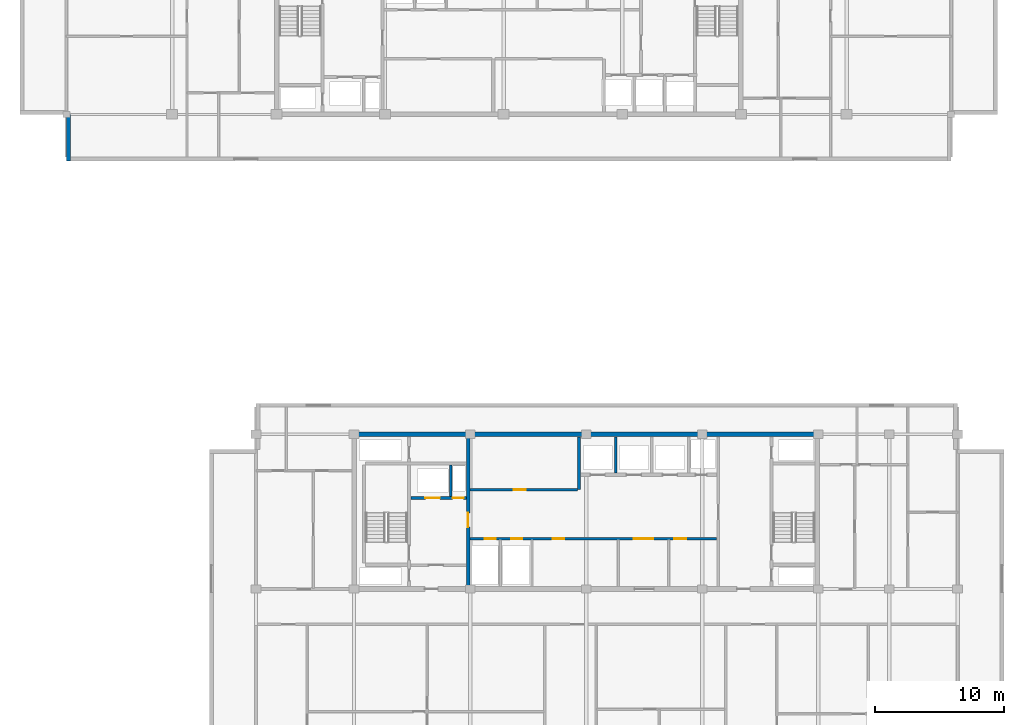
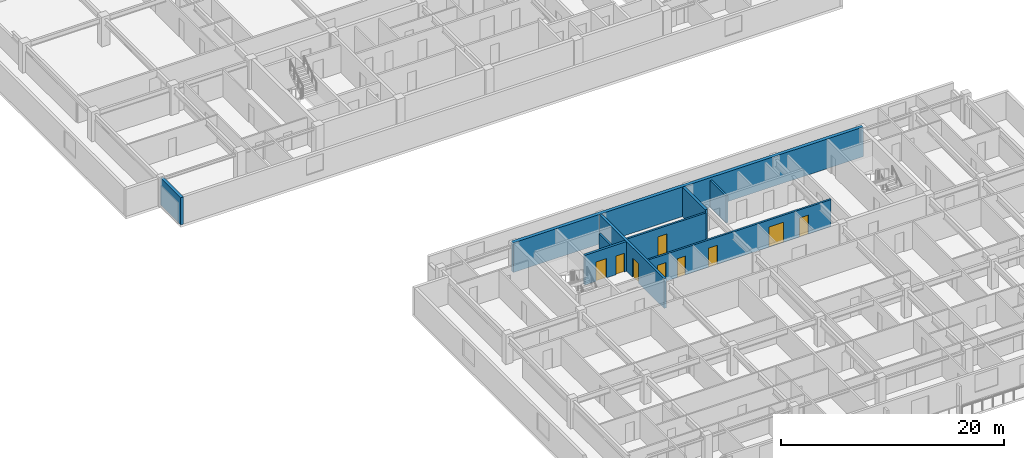
# One storey, part 7 of 22: 9 doors, 9 walls, 9 openings.
"""IFC4 building model written with IfcOpenShell, lengths in metres."""

from ifc_helpers import new_model, si_unit, direction, frame, frame_2d, origin, place, context, subcontext, project, spatial, rectangle, extrude, material, layer, layer_set, type_object, element, fill, save


model = new_model("IFC4")

# Units and contexts
model_context = context("Model", 3, precision=1e-05, world=origin(), true_north=direction((0.0, 1.0)))
body_context = subcontext(model_context, "Body", "Model", "MODEL_VIEW")
ifc_project = project(units=[si_unit("LENGTHUNIT", "METRE"), si_unit("AREAUNIT", "SQUARE_METRE"), si_unit("VOLUMEUNIT", "CUBIC_METRE"), si_unit("PLANEANGLEUNIT", "RADIAN"), si_unit("MASSUNIT", "GRAM", prefix="KILO")], contexts=[model_context])

# Site, building, storey
site_placement = place(None, origin())
site = spatial("IfcSite", under=ifc_project, at=site_placement, CompositionType="ELEMENT")
building_placement = place(site_placement, origin())
building = spatial("IfcBuilding", under=site, at=building_placement, Name="Korimba Cascade Residences", CompositionType="ELEMENT")
storey_placement = place(building_placement, frame((0.0, 0.0, 194.60009765625)))
storey = spatial("IfcBuildingStorey", under=building, at=storey_placement, Name="L56", CompositionType="ELEMENT", Elevation=194.60009765625)

# Walls
ifc_material_1 = material(Name="Precast concrete C40/50", Category="concrete")
ifc_layer_1 = layer(ifc_material_1, 0.300048828125)
ifc_layer_set_1 = layer_set([ifc_layer_1], Name="Precast concrete C40/50")
wall_type_1 = type_object("IfcWallType", Name="EW-STONE-300", PredefinedType="STANDARD", material=ifc_layer_set_1)
wall_1_placement = place(storey_placement, frame((59.949951171875, 55.199951171875, 0.0), z_axis=(0.0, 0.0, 1.0), x_axis=(0.0, -1.0, 0.0)))
element("IfcWall", 1, at=wall_1_placement, inside=storey, type_object=wall_type_1, Name="L56 T1 Perimeter Stone Wall E11", PredefinedType="STANDARD", context=body_context, shape_type="SweptSolid", body=[
    extrude(rectangle(XDim=3.599853515625, YDim=0.300048828125, at=frame_2d((1.7998046875, 0.0))), origin(), (0.0, 0.0, 1.0), 2.969970703125),
])
ifc_material_2 = material(Name="Concrete C65/80", Category="concrete")
ifc_layer_2 = layer(ifc_material_2, 0.35009765625)
ifc_layer_set_2 = layer_set([ifc_layer_2], Name="Concrete C65/80")
wall_type_2 = type_object("IfcWallType", Name="WAL-CORE-350", PredefinedType="SHEAR", material=ifc_layer_set_2)
wall_2_placement = place(storey_placement, frame((81.925048828125, 30.39990234375, 0.0), z_axis=(0.0, 0.0, 1.0), x_axis=(1.0, 0.0, 0.0)))
element("IfcWall", 2, at=wall_2_placement, inside=storey, type_object=wall_type_2, Name="L56 Core Shear Wall CW-L56-T2-N", PredefinedType="SHEAR", context=body_context, shape_type="SweptSolid", body=[
    extrude(rectangle(XDim=36.264892578125, YDim=0.35009765625, at=frame_2d((18.13232421875, 0.0))), origin(), (0.0, 0.0, 1.0), 3.25),
])
ifc_material_3 = material(Name="Concrete C40/50", Category="concrete")
ifc_layer_3 = layer(ifc_material_3, 0.199951171875)
ifc_layer_set_3 = layer_set([ifc_layer_3], Name="Concrete C40/50")
wall_type_3 = type_object("IfcWallType", Name="WAL-PART-200", PredefinedType="PARTITIONING", material=ifc_layer_set_3)
wall_3_placement = place(storey_placement, frame((89.60009765625, 25.580078125, 0.0), z_axis=(0.0, 0.0, 1.0), x_axis=(0.0, 1.0, 0.0)))
element("IfcWall", 3, at=wall_3_placement, inside=storey, type_object=wall_type_3, Name="L56 Partition Wall CW-L56-T2-FFLDIV", PredefinedType="PARTITIONING", context=body_context, shape_type="SweptSolid", body=[
    extrude(rectangle(XDim=2.419921875, YDim=0.199951171875, at=frame_2d((1.2099609375, 0.0))), origin(), (0.0, 0.0, 1.0), 2.969970703125),
])

# Wall, opening, door
wall_4_placement = place(storey_placement, frame((91.080078125, 26.10009765625, 0.0), z_axis=(0.0, 0.0, 1.0), x_axis=(1.0, 0.0, 0.0)))
wall_4 = element("IfcWall", 4, at=wall_4_placement, inside=storey, type_object=wall_type_3, Name="L56 Partition Wall CW-L56-T2-B1RS", PredefinedType="PARTITIONING", context=body_context, shape_type="SweptSolid", body=[
    extrude(rectangle(XDim=8.33984375, YDim=0.199951171875, at=frame_2d((4.169921875, 0.0))), origin(), (0.0, 0.0, 1.0), 2.969970703125),
])
opening_1_placement = place(wall_4_placement, frame((3.39990234375, 0.0, 0.0)))
opening_1 = element("IfcOpeningElement", 5, at=opening_1_placement, cuts=wall_4, Name="Opening D-ST1", PredefinedType="OPENING", context=body_context, shape_type="SweptSolid", body=[
    extrude(rectangle(XDim=0.919921875, YDim=2.080078125, at=frame_2d((0.4599609375, 1.0400390625))), frame((0.0, 0.10986328125, 0.0), z_axis=(0.0, -1.0, 0.0), x_axis=(1.0, 0.0, 0.0)), (0.0, 0.0, 1.0), 0.219970703125),
])
ifc_material_4 = material(Name="Fire-Rated Core Store Door", Category="wood")
door_type_1 = type_object("IfcDoorType", Name="DR-FD60-920", OperationType="NOTDEFINED", PredefinedType="DOOR", material=ifc_material_4)
door_1_placement = place(opening_1_placement, origin())
door_1 = element("IfcDoor", 6, at=door_1_placement, inside=storey, type_object=door_type_1, Name="L56 T2 Resident Storage Door", OperationType="SINGLE_SWING_LEFT", OverallHeight=2.080078125, OverallWidth=0.919921875, PredefinedType="DOOR", context=body_context, shape_type="SweptSolid", body=[
    extrude(rectangle(XDim=0.919921875, YDim=2.080078125, at=frame_2d((0.4599609375, 1.0400390625))), frame((0.0, 0.02490234375, 0.0), z_axis=(0.0, -1.0, 0.0), x_axis=(1.0, 0.0, 0.0)), (0.0, 0.0, 1.0), 0.050048828125),
])
fill(opening_1, door_1)

# Wall
wall_5_placement = place(storey_placement, frame((102.39990234375, 27.3798828125, 0.0), z_axis=(0.0, 0.0, 1.0), x_axis=(0.0, 1.0, 0.0)))
element("IfcWall", 7, at=wall_5_placement, inside=storey, type_object=wall_type_3, Name="L56 Partition Wall CW-L56-T2-B2D1", PredefinedType="PARTITIONING", context=body_context, shape_type="SweptSolid", body=[
    extrude(rectangle(XDim=2.820068359375, YDim=0.199951171875, at=frame_2d((1.41015625, 0.0))), origin(), (0.0, 0.0, 1.0), 2.969970703125),
])

# Wall, openings, doors
wall_6_placement = place(storey_placement, frame((91.080078125, 22.300048828125, 0.0), z_axis=(0.0, 0.0, 1.0), x_axis=(1.0, 0.0, 0.0)))
wall_6 = element("IfcWall", 8, at=wall_6_placement, inside=storey, type_object=wall_type_3, Name="L56 Partition Wall CW-L56-T2-SRVROW", PredefinedType="PARTITIONING", context=body_context, shape_type="SweptSolid", body=[
    extrude(rectangle(XDim=19.139892578125, YDim=0.199951171875, at=frame_2d((9.56982421875, 0.0))), origin(), (0.0, 0.0, 1.0), 2.969970703125),
])
opening_2_placement = place(wall_6_placement, frame((1.14990234375, 0.0, 0.0)))
opening_2 = element("IfcOpeningElement", 9, at=opening_2_placement, cuts=wall_6, Name="Opening D-RS1", PredefinedType="OPENING", context=body_context, shape_type="SweptSolid", body=[
    extrude(rectangle(XDim=0.85009765625, YDim=2.050048828125, at=frame_2d((0.425048828125, 1.02490234375))), frame((0.0, 0.10986328125, 0.0), z_axis=(0.0, -1.0, 0.0), x_axis=(1.0, 0.0, 0.0)), (0.0, 0.0, 1.0), 0.219970703125),
])
opening_3_placement = place(wall_6_placement, frame((3.199951171875, 0.0, 0.0)))
opening_3 = element("IfcOpeningElement", 10, at=opening_3_placement, cuts=wall_6, Name="Opening D-RS1", PredefinedType="OPENING", context=body_context, shape_type="SweptSolid", body=[
    extrude(rectangle(XDim=0.85009765625, YDim=2.050048828125, at=frame_2d((0.425048828125, 1.02490234375))), frame((0.0, 0.10986328125, 0.0), z_axis=(0.0, -1.0, 0.0), x_axis=(1.0, 0.0, 0.0)), (0.0, 0.0, 1.0), 0.219970703125),
])
opening_4_placement = place(wall_6_placement, frame((12.719970703125, 0.0, 0.0)))
opening_4 = element("IfcOpeningElement", 11, at=opening_4_placement, cuts=wall_6, Name="Opening D-FD8", PredefinedType="OPENING", context=body_context, shape_type="SweptSolid", body=[
    extrude(rectangle(XDim=1.5, YDim=2.199951171875, at=frame_2d((0.75, 1.10009765625))), frame((0.0, 0.10986328125, 0.0), z_axis=(0.0, -1.0, 0.0), x_axis=(1.0, 0.0, 0.0)), (0.0, 0.0, 1.0), 0.219970703125),
])
opening_5_placement = place(wall_6_placement, frame((6.419921875, 0.0, 0.0)))
opening_5 = element("IfcOpeningElement", 12, at=opening_5_placement, cuts=wall_6, Name="Opening D-IN1", PredefinedType="OPENING", context=body_context, shape_type="SweptSolid", body=[
    extrude(rectangle(XDim=0.919921875, YDim=2.080078125, at=frame_2d((0.4599609375, 1.0400390625))), frame((0.0, 0.10986328125, 0.0), z_axis=(0.0, -1.0, 0.0), x_axis=(1.0, 0.0, 0.0)), (0.0, 0.0, 1.0), 0.219970703125),
])
opening_6_placement = place(wall_6_placement, frame((15.8701171875, 0.0, 0.0)))
opening_6 = element("IfcOpeningElement", 13, at=opening_6_placement, cuts=wall_6, Name="Opening D-IN1", PredefinedType="OPENING", context=body_context, shape_type="SweptSolid", body=[
    extrude(rectangle(XDim=0.919921875, YDim=2.080078125, at=frame_2d((0.4599609375, 1.0400390625))), frame((0.0, 0.10986328125, 0.0), z_axis=(0.0, -1.0, 0.0), x_axis=(1.0, 0.0, 0.0)), (0.0, 0.0, 1.0), 0.219970703125),
])
ifc_material_5 = material(Name="Fire-Rated Steel Riser Access Door", Category="steel")
door_type_2 = type_object("IfcDoorType", Name="DR-FD60-850", OperationType="NOTDEFINED", PredefinedType="DOOR", material=ifc_material_5)
door_2_placement = place(opening_2_placement, origin())
door_2 = element("IfcDoor", 14, at=door_2_placement, inside=storey, type_object=door_type_2, Name="L56 T2 Electrical Riser Door", OperationType="SINGLE_SWING_LEFT", OverallHeight=2.050048828125, OverallWidth=0.85009765625, PredefinedType="DOOR", context=body_context, shape_type="SweptSolid", body=[
    extrude(rectangle(XDim=0.85009765625, YDim=2.050048828125, at=frame_2d((0.425048828125, 1.02490234375))), frame((0.0, 0.02490234375, 0.0), z_axis=(0.0, -1.0, 0.0), x_axis=(1.0, 0.0, 0.0)), (0.0, 0.0, 1.0), 0.050048828125),
])
fill(opening_2, door_2)
door_3_placement = place(opening_3_placement, origin())
door_3 = element("IfcDoor", 15, at=door_3_placement, inside=storey, type_object=door_type_2, Name="L56 T2 Plumbing Riser Door", OperationType="SINGLE_SWING_RIGHT", OverallHeight=2.050048828125, OverallWidth=0.85009765625, PredefinedType="DOOR", context=body_context, shape_type="SweptSolid", body=[
    extrude(rectangle(XDim=0.85009765625, YDim=2.050048828125, at=frame_2d((0.425048828125, 1.02490234375))), frame((0.0, 0.02490234375, 0.0), z_axis=(0.0, -1.0, 0.0), x_axis=(1.0, 0.0, 0.0)), (0.0, 0.0, 1.0), 0.050048828125),
])
fill(opening_3, door_3)
ifc_material_6 = material(Name="Fire-Rated Glazed Lift Lobby Double Door", Category="glass")
door_type_3 = type_object("IfcDoorType", Name="DR-FD90-1500", OperationType="NOTDEFINED", PredefinedType="DOOR", material=ifc_material_6)
door_4_placement = place(opening_4_placement, origin())
door_4 = element("IfcDoor", 16, at=door_4_placement, inside=storey, type_object=door_type_3, Name="L56 T2 Lift Lobby Foyer Door", OperationType="DOUBLE_DOOR_SINGLE_SWING", OverallHeight=2.199951171875, OverallWidth=1.5, PredefinedType="DOOR", context=body_context, shape_type="SweptSolid", body=[
    extrude(rectangle(XDim=1.5, YDim=2.199951171875, at=frame_2d((0.75, 1.10009765625))), frame((0.0, 0.02490234375, 0.0), z_axis=(0.0, -1.0, 0.0), x_axis=(1.0, 0.0, 0.0)), (0.0, 0.0, 1.0), 0.050048828125),
])
fill(opening_4, door_4)
ifc_material_7 = material(Name="Acoustic Timber Living Door", Category="wood")
door_type_4 = type_object("IfcDoorType", Name="DR-INT-920", OperationType="NOTDEFINED", PredefinedType="DOOR", material=ifc_material_7)
door_5_placement = place(opening_5_placement, origin())
door_5 = element("IfcDoor", 17, at=door_5_placement, inside=storey, type_object=door_type_4, Name="L56 T2 Housekeeping Door", OperationType="SINGLE_SWING_LEFT", OverallHeight=2.080078125, OverallWidth=0.919921875, PredefinedType="DOOR", context=body_context, shape_type="SweptSolid", body=[
    extrude(rectangle(XDim=0.919921875, YDim=2.080078125, at=frame_2d((0.4599609375, 1.0400390625))), frame((0.0, 0.02490234375, 0.0), z_axis=(0.0, -1.0, 0.0), x_axis=(1.0, 0.0, 0.0)), (0.0, 0.0, 1.0), 0.050048828125),
])
fill(opening_5, door_5)
door_6_placement = place(opening_6_placement, origin())
door_6 = element("IfcDoor", 18, at=door_6_placement, inside=storey, type_object=door_type_4, Name="L56 T2 Store Door", OperationType="SINGLE_SWING_RIGHT", OverallHeight=2.080078125, OverallWidth=0.919921875, PredefinedType="DOOR", context=body_context, shape_type="SweptSolid", body=[
    extrude(rectangle(XDim=0.919921875, YDim=2.080078125, at=frame_2d((0.4599609375, 1.0400390625))), frame((0.0, 0.02490234375, 0.0), z_axis=(0.0, -1.0, 0.0), x_axis=(1.0, 0.0, 0.0)), (0.0, 0.0, 1.0), 0.050048828125),
])
fill(opening_6, door_6)

ifc_material_8 = material(Name="Concrete C50/60", Category="concrete")
ifc_layer_4 = layer(ifc_material_8, 0.25)
ifc_layer_set_4 = layer_set([ifc_layer_4], Name="Concrete C50/60")
wall_type_4 = type_object("IfcWallType", Name="WAL-SHAFT-250", PredefinedType="SHEAR", material=ifc_layer_set_4)
wall_7_placement = place(storey_placement, frame((86.5, 25.449951171875, 0.0), z_axis=(0.0, 0.0, 1.0), x_axis=(1.0, 0.0, 0.0)))
wall_7 = element("IfcWall", 19, at=wall_7_placement, inside=storey, type_object=wall_type_4, Name="L56 Core Shear Wall CW-L56-T2-FFLN", PredefinedType="SHEAR", context=body_context, shape_type="SweptSolid", body=[
    extrude(rectangle(XDim=4.320068359375, YDim=0.25, at=frame_2d((2.16015625, 0.0))), origin(), (0.0, 0.0, 1.0), 3.25),
])
opening_7_placement = place(wall_7_placement, frame((1.139892578125, 0.0, 0.0)))
opening_7 = element("IfcOpeningElement", 20, at=opening_7_placement, cuts=wall_7, Name="Opening LD-01", PredefinedType="OPENING", context=body_context, shape_type="SweptSolid", body=[
    extrude(rectangle(XDim=1.1201171875, YDim=2.1201171875, at=frame_2d((0.56005859375, 1.06005859375))), frame((0.0, 0.135009765625, 0.0), z_axis=(0.0, -1.0, 0.0), x_axis=(1.0, 0.0, 0.0)), (0.0, 0.0, 1.0), 0.27001953125),
])
opening_8_placement = place(wall_7_placement, frame((3.25, 0.0, 0.0)))
opening_8 = element("IfcOpeningElement", 21, at=opening_8_placement, cuts=wall_7, Name="Opening D-RS1", PredefinedType="OPENING", context=body_context, shape_type="SweptSolid", body=[
    extrude(rectangle(XDim=0.85009765625, YDim=2.050048828125, at=frame_2d((0.425048828125, 1.02490234375))), frame((0.0, 0.135009765625, 0.0), z_axis=(0.0, -1.0, 0.0), x_axis=(1.0, 0.0, 0.0)), (0.0, 0.0, 1.0), 0.27001953125),
])
door_7_placement = place(opening_8_placement, origin())
door_7 = element("IfcDoor", 22, at=door_7_placement, inside=storey, type_object=door_type_2, Name="L56 T2 Pressurisation Riser Door", OperationType="SINGLE_SWING_RIGHT", OverallHeight=2.050048828125, OverallWidth=0.85009765625, PredefinedType="DOOR", context=body_context, shape_type="SweptSolid", body=[
    extrude(rectangle(XDim=0.85009765625, YDim=2.050048828125, at=frame_2d((0.425048828125, 1.02490234375))), frame((0.0, 0.02490234375, 0.0), z_axis=(0.0, -1.0, 0.0), x_axis=(1.0, 0.0, 0.0)), (0.0, 0.0, 1.0), 0.050048828125),
])
fill(opening_8, door_7)
ifc_material_9 = material(Name="Stainless Steel Lift Landing Sliding Door", Category="steel")
door_type_5 = type_object("IfcDoorType", Name="DR-LIFT-1100", OperationType="NOTDEFINED", PredefinedType="DOOR", material=ifc_material_9)
door_8_placement = place(opening_7_placement, origin())
door_8 = element("IfcDoor", 23, at=door_8_placement, inside=storey, type_object=door_type_5, Name="L56 Firefighting Lift Landing Door FFL-E1", OperationType="SLIDING_TO_RIGHT", OverallHeight=2.1201171875, OverallWidth=1.1201171875, PredefinedType="DOOR", context=body_context, shape_type="SweptSolid", body=[
    extrude(rectangle(XDim=1.1201171875, YDim=2.1201171875, at=frame_2d((0.56005859375, 1.06005859375))), frame((0.0, 0.02490234375, 0.0), z_axis=(0.0, -1.0, 0.0), x_axis=(1.0, 0.0, 0.0)), (0.0, 0.0, 1.0), 0.050048828125),
])
fill(opening_7, door_8)

# Wall, opening, door
wall_8_placement = place(storey_placement, frame((90.949951171875, 18.60009765625, 0.0), z_axis=(0.0, 0.0, 1.0), x_axis=(0.0, 1.0, 0.0)))
wall_8 = element("IfcWall", 24, at=wall_8_placement, inside=storey, type_object=wall_type_4, Name="L56 Core Shear Wall CW-L56-T2-FFLE", PredefinedType="SHEAR", context=body_context, shape_type="SweptSolid", body=[
    extrude(rectangle(XDim=11.599853515625, YDim=0.25, at=frame_2d((5.7998046875, 0.0))), origin(), (0.0, 0.0, 1.0), 3.25),
])
opening_9_placement = place(wall_8_placement, frame((4.60009765625, 0.0, 0.0)))
opening_9 = element("IfcOpeningElement", 25, at=opening_9_placement, cuts=wall_8, Name="Opening D-FD1", PredefinedType="OPENING", context=body_context, shape_type="SweptSolid", body=[
    extrude(rectangle(XDim=1.10009765625, YDim=2.10009765625, at=frame_2d((0.550048828125, 1.050048828125))), frame((0.0, 0.135009765625, 0.0), z_axis=(0.0, -1.0, 0.0), x_axis=(1.0, 0.0, 0.0)), (0.0, 0.0, 1.0), 0.27001953125),
])
ifc_material_10 = material(Name="Fire-Rated Steel Core Door", Category="steel")
door_type_6 = type_object("IfcDoorType", Name="DR-FD120-1100", OperationType="NOTDEFINED", PredefinedType="DOOR", material=ifc_material_10)
door_9_placement = place(opening_9_placement, origin())
door_9 = element("IfcDoor", 26, at=door_9_placement, inside=storey, type_object=door_type_6, Name="L56 T2 Firefighting Lobby to Lift Lobby Door", OperationType="SINGLE_SWING_RIGHT", OverallHeight=2.10009765625, OverallWidth=1.10009765625, PredefinedType="DOOR", context=body_context, shape_type="SweptSolid", body=[
    extrude(rectangle(XDim=1.10009765625, YDim=2.10009765625, at=frame_2d((0.550048828125, 1.050048828125))), frame((0.0, 0.02490234375, 0.0), z_axis=(0.0, -1.0, 0.0), x_axis=(1.0, 0.0, 0.0)), (0.0, 0.0, 1.0), 0.050048828125),
])
fill(opening_9, door_9)

# Wall
wall_9_placement = place(storey_placement, frame((99.550048828125, 26.10009765625, 0.0), z_axis=(0.0, 0.0, 1.0), x_axis=(0.0, 1.0, 0.0)))
element("IfcWall", 27, at=wall_9_placement, inside=storey, type_object=wall_type_4, Name="L56 Core Shear Wall CW-L56-T2-B12DIV", PredefinedType="SHEAR", context=body_context, shape_type="SweptSolid", body=[
    extrude(rectangle(XDim=4.099853515625, YDim=0.25, at=frame_2d((2.0498046875, 0.0))), origin(), (0.0, 0.0, 1.0), 3.25),
])

save(model, "model.ifc")
